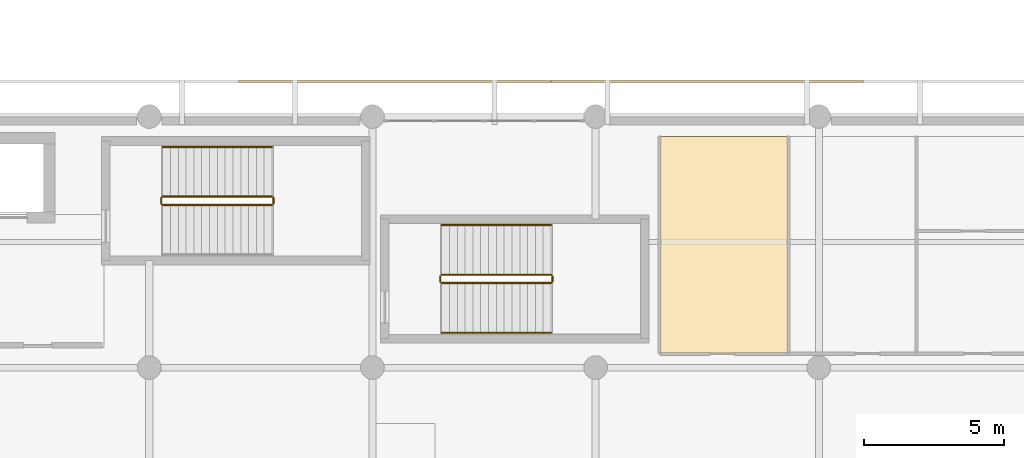
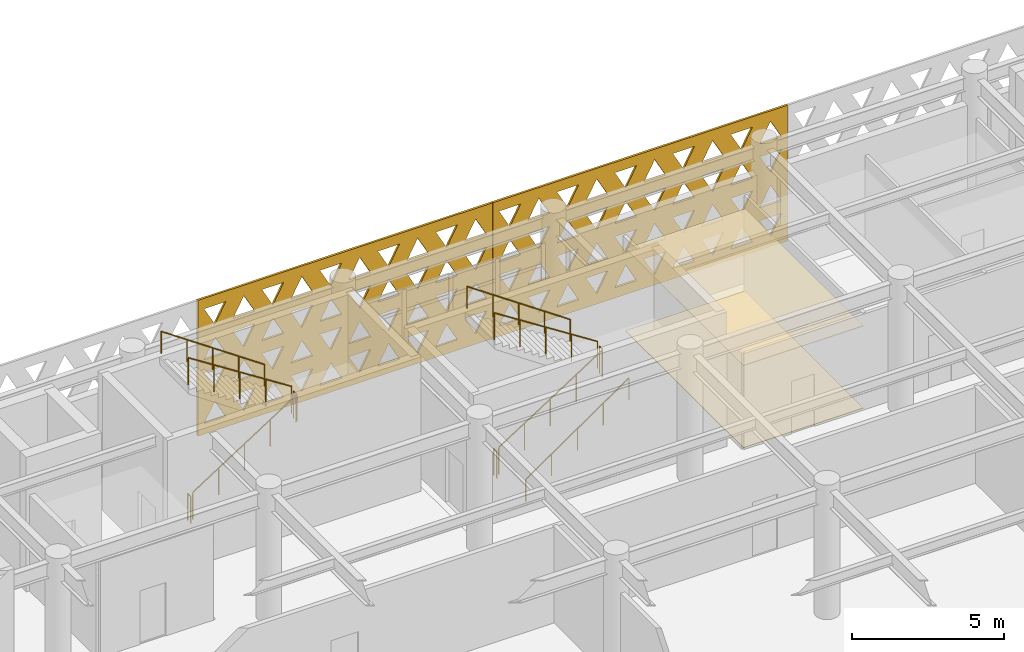
# One storey, part 75 of 84: 11 railings, 4 coverings.
"""IFC4 building model written with IfcOpenShell, lengths in metres."""

from ifc_helpers import new_model, si_unit, direction, frame, origin, origin_2d, place, context, subcontext, project, spatial, polyline, circle, outline, extrude, material, layer, layer_set, type_object, element, save


model = new_model("IFC4")

# Units and contexts
model_context = context("Model", 3, precision=1e-05, world=origin(), true_north=direction((0.0, 1.0)))
body_context = subcontext(model_context, "Body", "Model", "MODEL_VIEW")
ifc_project = project(units=[si_unit("LENGTHUNIT", "METRE"), si_unit("AREAUNIT", "SQUARE_METRE"), si_unit("VOLUMEUNIT", "CUBIC_METRE"), si_unit("PLANEANGLEUNIT", "RADIAN"), si_unit("MASSUNIT", "GRAM", prefix="KILO")], contexts=[model_context])

# Site, building, storey
site_placement = place(None, origin())
site = spatial("IfcSite", under=ifc_project, at=site_placement, CompositionType="ELEMENT")
building_placement = place(site_placement, origin())
building = spatial("IfcBuilding", under=site, at=building_placement, Name="Tlacozan Convention Centre", CompositionType="ELEMENT")
storey_placement = place(building_placement, frame((0.0, 0.0, 6.0)))
storey = spatial("IfcBuildingStorey", under=building, at=storey_placement, Name="L01", CompositionType="ELEMENT", Elevation=6.0)

# Coverings
ifc_material_1 = material(Name="Perforated Acoustic Mineral Fibre Ceiling")
ifc_layer_1 = layer(ifc_material_1, 0.02490234375)
ifc_layer_set_1 = layer_set([ifc_layer_1], Name="Perforated Acoustic Mineral Fibre Ceiling")
covering_type_1 = type_object("IfcCoveringType", Name="Acoustic Mineral Fibre Ceiling 25", PredefinedType="CEILING", material=ifc_layer_set_1)
covering_1_placement = place(storey_placement, frame((0.0, 0.0, 3.300048828125)))
element("IfcCovering", 1, at=covering_1_placement, inside=storey, type_object=covering_type_1, Name="L01 Acoustic Ceiling L01-WC1", PredefinedType="CEILING", context=body_context, shape_type="SweptSolid", body=[
    extrude(outline(polyline([(58.320068359375, 18.52001953125), (62.8798828125, 18.52001953125), (62.8798828125, 26.280029296875), (58.320068359375, 26.280029296875), (58.320068359375, 18.52001953125)])), origin(), (0.0, 0.0, 1.0), 0.02490234375),
])
ifc_material_2 = material(Name="Polished Basalt Terrazzo Flooring", Category="masonry")
ifc_layer_2 = layer(ifc_material_2, 0.02001953125)
ifc_layer_set_2 = layer_set([ifc_layer_2], Name="Polished Basalt Terrazzo Flooring")
covering_type_2 = type_object("IfcCoveringType", Name="Polished Basalt Terrazzo Flooring 20", PredefinedType="FLOORING", material=ifc_layer_set_2)
covering_2_placement = place(storey_placement, origin())
element("IfcCovering", 2, at=covering_2_placement, inside=storey, type_object=covering_type_2, Name="L01 Terrazzo Flooring L01-WC1", PredefinedType="FLOORING", context=body_context, shape_type="SweptSolid", body=[
    extrude(outline(polyline([(58.320068359375, 18.52001953125), (62.8798828125, 18.52001953125), (62.8798828125, 26.280029296875), (58.320068359375, 26.280029296875), (58.320068359375, 18.52001953125)])), origin(), (0.0, 0.0, 1.0), 0.02001953125),
])

# Railings
ifc_material_3 = material(Name="Architectural Painted Galvanised Steel Railing", Category="steel")
railing_type_1 = type_object("IfcRailingType", Name="Stair Wall Handrail 900", PredefinedType="HANDRAIL", material=ifc_material_3)
railing_1_placement = place(storey_placement, frame((44.39990234375, 25.909912109375, 2.8798828125)))
element("IfcRailing", 3, at=railing_1_placement, inside=storey, type_object=railing_type_1, Name="L01 ST-04 stair handrail 2", PredefinedType="HANDRAIL", context=body_context, shape_type="SweptSolid", body=[
    extrude(circle(Radius=0.02392578125, at=origin_2d()), frame((0.0, 0.0, 0.8759765625), z_axis=(-0.823526770215, 0.0, 0.56727740898), x_axis=(0.0, -1.0, 0.0)), (0.0, 0.0, 1.0), 4.760009765625),
    extrude(circle(Radius=0.02099609375, at=origin_2d()), origin(), (0.0, 0.0, 1.0), 0.851806640625),
    extrude(circle(Radius=0.02099609375, at=origin_2d()), frame((-0.97998046875, 0.0, 0.675048828125)), (0.0, 0.0, 1.0), 0.851806640625),
    extrude(circle(Radius=0.02099609375, at=origin_2d()), frame((-1.9599609375, 0.0, 1.35009765625)), (0.0, 0.0, 1.0), 0.851806640625),
    extrude(circle(Radius=0.02099609375, at=origin_2d()), frame((-2.93994140625, 0.0, 2.025146484375)), (0.0, 0.0, 1.0), 0.851806640625),
    extrude(circle(Radius=0.02099609375, at=origin_2d()), frame((-3.919921875, 0.0, 2.7001953125)), (0.0, 0.0, 1.0), 0.851806640625),
])
railing_2_placement = place(storey_placement, frame((50.47998046875, 19.25, 0.179931640625)))
element("IfcRailing", 4, at=railing_2_placement, inside=storey, type_object=railing_type_1, Name="L01 ST-14 stair handrail 1", PredefinedType="HANDRAIL", context=body_context, shape_type="SweptSolid", body=[
    extrude(circle(Radius=0.02392578125, at=origin_2d()), frame((0.0, 0.0, 0.8759765625), z_axis=(0.823550731654, 0.0, 0.567242622158), x_axis=(0.0, 1.0, 0.0)), (0.0, 0.0, 1.0), 4.759765625),
    extrude(circle(Radius=0.02099609375, at=origin_2d()), origin(), (0.0, 0.0, 1.0), 0.851806640625),
    extrude(circle(Radius=0.02099609375, at=origin_2d()), frame((0.97998046875, 0.0, 0.675048828125)), (0.0, 0.0, 1.0), 0.851806640625),
    extrude(circle(Radius=0.02099609375, at=origin_2d()), frame((1.9599609375, 0.0, 1.35009765625)), (0.0, 0.0, 1.0), 0.851806640625),
    extrude(circle(Radius=0.02099609375, at=origin_2d()), frame((2.93994140625, 0.0, 2.02490234375)), (0.0, 0.0, 1.0), 0.851806640625),
    extrude(circle(Radius=0.02099609375, at=origin_2d()), frame((3.919921875, 0.0, 2.699951171875)), (0.0, 0.0, 1.0), 0.851806640625),
])
railing_3_placement = place(storey_placement, frame((54.39990234375, 23.110107421875, 2.8798828125)))
element("IfcRailing", 5, at=railing_3_placement, inside=storey, type_object=railing_type_1, Name="L01 ST-14 stair handrail 2", PredefinedType="HANDRAIL", context=body_context, shape_type="SweptSolid", body=[
    extrude(circle(Radius=0.02392578125, at=origin_2d()), frame((0.0, 0.0, 0.8759765625), z_axis=(-0.823526770215, 0.0, 0.56727740898), x_axis=(0.0, -1.0, 0.0)), (0.0, 0.0, 1.0), 4.760009765625),
    extrude(circle(Radius=0.02099609375, at=origin_2d()), origin(), (0.0, 0.0, 1.0), 0.851806640625),
    extrude(circle(Radius=0.02099609375, at=origin_2d()), frame((-0.97998046875, 0.0, 0.675048828125)), (0.0, 0.0, 1.0), 0.851806640625),
    extrude(circle(Radius=0.02099609375, at=origin_2d()), frame((-1.9599609375, 0.0, 1.35009765625)), (0.0, 0.0, 1.0), 0.851806640625),
    extrude(circle(Radius=0.02099609375, at=origin_2d()), frame((-2.93994140625, 0.0, 2.025146484375)), (0.0, 0.0, 1.0), 0.851806640625),
    extrude(circle(Radius=0.02099609375, at=origin_2d()), frame((-3.919921875, 0.0, 2.7001953125)), (0.0, 0.0, 1.0), 0.851806640625),
])
railing_type_2 = type_object("IfcRailingType", Name="Stair Well Guardrail 1100", PredefinedType="GUARDRAIL", material=ifc_material_3)
railing_4_placement = place(storey_placement, frame((40.47998046875, 23.830078125, 0.179931640625)))
element("IfcRailing", 6, at=railing_4_placement, inside=storey, type_object=railing_type_2, Name="L01 ST-04 stair guard 1", PredefinedType="GUARDRAIL", context=body_context, shape_type="SweptSolid", body=[
    extrude(circle(Radius=0.02392578125, at=origin_2d()), frame((0.0, 0.0, 1.076171875), z_axis=(0.841171666519, 0.0, 0.540768182723), x_axis=(0.0, 1.0, 0.0)), (0.0, 0.0, 1.0), 4.66015625),
    extrude(circle(Radius=0.02099609375, at=origin_2d()), origin(), (0.0, 0.0, 1.0), 1.052001953125),
    extrude(circle(Radius=0.02099609375, at=origin_2d()), frame((0.97998046875, 0.0, 0.6298828125)), (0.0, 0.0, 1.0), 1.052001953125),
    extrude(circle(Radius=0.02099609375, at=origin_2d()), frame((1.9599609375, 0.0, 1.260009765625)), (0.0, 0.0, 1.0), 1.052001953125),
    extrude(circle(Radius=0.02099609375, at=origin_2d()), frame((2.93994140625, 0.0, 1.89013671875)), (0.0, 0.0, 1.0), 1.052001953125),
    extrude(circle(Radius=0.02099609375, at=origin_2d()), frame((3.919921875, 0.0, 2.52001953125)), (0.0, 0.0, 1.0), 1.052001953125),
])
railing_5_placement = place(storey_placement, frame((44.449951171875, 23.8798828125, 2.699951171875)))
element("IfcRailing", 7, at=railing_5_placement, inside=storey, type_object=railing_type_2, Name="L01 ST-04 stair guard 2", PredefinedType="GUARDRAIL", context=body_context, shape_type="SweptSolid", body=[
    extrude(circle(Radius=0.02392578125, at=origin_2d()), frame((0.0, 0.0, 1.076171875), z_axis=(0.0, 1.0, 0.0), x_axis=(-1.0, 0.0, 0.0)), (0.0, 0.0, 1.0), 0.2001953125),
    extrude(circle(Radius=0.02099609375, at=origin_2d()), origin(), (0.0, 0.0, 1.0), 1.052001953125),
    extrude(circle(Radius=0.02099609375, at=origin_2d()), frame((0.0, 0.2001953125, 0.0)), (0.0, 0.0, 1.0), 1.052001953125),
])
railing_6_placement = place(storey_placement, frame((44.39990234375, 24.1298828125, 2.8798828125)))
element("IfcRailing", 8, at=railing_6_placement, inside=storey, type_object=railing_type_2, Name="L01 ST-04 stair guard 3", PredefinedType="GUARDRAIL", context=body_context, shape_type="SweptSolid", body=[
    extrude(circle(Radius=0.02392578125, at=origin_2d()), frame((0.0, 0.0, 1.076171875), z_axis=(-0.841171666519, 0.0, 0.540768182723), x_axis=(0.0, -1.0, 0.0)), (0.0, 0.0, 1.0), 4.66015625),
    extrude(circle(Radius=0.02099609375, at=origin_2d()), origin(), (0.0, 0.0, 1.0), 1.052001953125),
    extrude(circle(Radius=0.02099609375, at=origin_2d()), frame((-0.97998046875, 0.0, 0.6298828125)), (0.0, 0.0, 1.0), 1.052001953125),
    extrude(circle(Radius=0.02099609375, at=origin_2d()), frame((-1.9599609375, 0.0, 1.260009765625)), (0.0, 0.0, 1.0), 1.052001953125),
    extrude(circle(Radius=0.02099609375, at=origin_2d()), frame((-2.93994140625, 0.0, 1.89013671875)), (0.0, 0.0, 1.0), 1.052001953125),
    extrude(circle(Radius=0.02099609375, at=origin_2d()), frame((-3.919921875, 0.0, 2.52001953125)), (0.0, 0.0, 1.0), 1.052001953125),
])
railing_7_placement = place(storey_placement, frame((40.429931640625, 23.8798828125, 0.0)))
element("IfcRailing", 9, at=railing_7_placement, inside=storey, type_object=railing_type_2, Name="L01 ST-04 stair guard 4", PredefinedType="GUARDRAIL", context=body_context, shape_type="SweptSolid", body=[
    extrude(circle(Radius=0.02392578125, at=origin_2d()), frame((0.0, 0.0, 1.076171875), z_axis=(0.0, 1.0, 0.0), x_axis=(-1.0, 0.0, 0.0)), (0.0, 0.0, 1.0), 0.2001953125),
    extrude(circle(Radius=0.02099609375, at=origin_2d()), origin(), (0.0, 0.0, 1.0), 1.052001953125),
    extrude(circle(Radius=0.02099609375, at=origin_2d()), frame((0.0, 0.2001953125, 0.0)), (0.0, 0.0, 1.0), 1.052001953125),
])
railing_8_placement = place(storey_placement, frame((50.47998046875, 21.030029296875, 0.179931640625)))
element("IfcRailing", 10, at=railing_8_placement, inside=storey, type_object=railing_type_2, Name="L01 ST-14 stair guard 1", PredefinedType="GUARDRAIL", context=body_context, shape_type="SweptSolid", body=[
    extrude(circle(Radius=0.02392578125, at=origin_2d()), frame((0.0, 0.0, 1.076171875), z_axis=(0.841171666519, 0.0, 0.540768182723), x_axis=(0.0, 1.0, 0.0)), (0.0, 0.0, 1.0), 4.66015625),
    extrude(circle(Radius=0.02099609375, at=origin_2d()), origin(), (0.0, 0.0, 1.0), 1.052001953125),
    extrude(circle(Radius=0.02099609375, at=origin_2d()), frame((0.97998046875, 0.0, 0.6298828125)), (0.0, 0.0, 1.0), 1.052001953125),
    extrude(circle(Radius=0.02099609375, at=origin_2d()), frame((1.9599609375, 0.0, 1.260009765625)), (0.0, 0.0, 1.0), 1.052001953125),
    extrude(circle(Radius=0.02099609375, at=origin_2d()), frame((2.93994140625, 0.0, 1.89013671875)), (0.0, 0.0, 1.0), 1.052001953125),
    extrude(circle(Radius=0.02099609375, at=origin_2d()), frame((3.919921875, 0.0, 2.52001953125)), (0.0, 0.0, 1.0), 1.052001953125),
])
railing_9_placement = place(storey_placement, frame((54.449951171875, 21.080078125, 2.699951171875)))
element("IfcRailing", 11, at=railing_9_placement, inside=storey, type_object=railing_type_2, Name="L01 ST-14 stair guard 2", PredefinedType="GUARDRAIL", context=body_context, shape_type="SweptSolid", body=[
    extrude(circle(Radius=0.02392578125, at=origin_2d()), frame((0.0, 0.0, 1.076171875), z_axis=(0.0, 1.0, 0.0), x_axis=(-1.0, 0.0, 0.0)), (0.0, 0.0, 1.0), 0.199951171875),
    extrude(circle(Radius=0.02099609375, at=origin_2d()), origin(), (0.0, 0.0, 1.0), 1.052001953125),
    extrude(circle(Radius=0.02099609375, at=origin_2d()), frame((0.0, 0.199951171875, 0.0)), (0.0, 0.0, 1.0), 1.052001953125),
])
railing_10_placement = place(storey_placement, frame((54.39990234375, 21.330078125, 2.8798828125)))
element("IfcRailing", 12, at=railing_10_placement, inside=storey, type_object=railing_type_2, Name="L01 ST-14 stair guard 3", PredefinedType="GUARDRAIL", context=body_context, shape_type="SweptSolid", body=[
    extrude(circle(Radius=0.02392578125, at=origin_2d()), frame((0.0, 0.0, 1.076171875), z_axis=(-0.841171666519, 0.0, 0.540768182723), x_axis=(0.0, -1.0, 0.0)), (0.0, 0.0, 1.0), 4.66015625),
    extrude(circle(Radius=0.02099609375, at=origin_2d()), origin(), (0.0, 0.0, 1.0), 1.052001953125),
    extrude(circle(Radius=0.02099609375, at=origin_2d()), frame((-0.97998046875, 0.0, 0.6298828125)), (0.0, 0.0, 1.0), 1.052001953125),
    extrude(circle(Radius=0.02099609375, at=origin_2d()), frame((-1.9599609375, 0.0, 1.260009765625)), (0.0, 0.0, 1.0), 1.052001953125),
    extrude(circle(Radius=0.02099609375, at=origin_2d()), frame((-2.93994140625, 0.0, 1.89013671875)), (0.0, 0.0, 1.0), 1.052001953125),
    extrude(circle(Radius=0.02099609375, at=origin_2d()), frame((-3.919921875, 0.0, 2.52001953125)), (0.0, 0.0, 1.0), 1.052001953125),
])
railing_11_placement = place(storey_placement, frame((50.429931640625, 21.080078125, 0.0)))
element("IfcRailing", 13, at=railing_11_placement, inside=storey, type_object=railing_type_2, Name="L01 ST-14 stair guard 4", PredefinedType="GUARDRAIL", context=body_context, shape_type="SweptSolid", body=[
    extrude(circle(Radius=0.02392578125, at=origin_2d()), frame((0.0, 0.0, 1.076171875), z_axis=(0.0, 1.0, 0.0), x_axis=(-1.0, 0.0, 0.0)), (0.0, 0.0, 1.0), 0.199951171875),
    extrude(circle(Radius=0.02099609375, at=origin_2d()), origin(), (0.0, 0.0, 1.0), 1.052001953125),
    extrude(circle(Radius=0.02099609375, at=origin_2d()), frame((0.0, 0.199951171875, 0.0)), (0.0, 0.0, 1.0), 1.052001953125),
])

# Coverings
ifc_material_4 = material(Name="Toluca Fired Terracotta Masonry Solar Screen", Category="masonry")
ifc_layer_3 = layer(ifc_material_4, 0.080078125)
ifc_layer_set_3 = layer_set([ifc_layer_3], Name="Toluca Fired Terracotta Masonry Solar Screen")
covering_type_3 = type_object("IfcCoveringType", Name="Terracotta Triangle Solar Screen 80", PredefinedType="USERDEFINED", material=ifc_layer_set_3)
covering_3_placement = place(storey_placement, frame((43.201904296875, 28.25, -0.10009765625), z_axis=(0.0, 0.0, 1.0), x_axis=(1.0, 0.0, 0.0)))
element("IfcCovering", 14, at=covering_3_placement, inside=storey, type_object=covering_type_3, Name="L01 Terracotta Triangle Screen 21", ObjectType="SCREEN", PredefinedType="USERDEFINED", context=body_context, shape_type="SweptSolid", body=[
    extrude(outline(polyline([(0.0, 0.0), (11.196044921875, 0.0), (11.196044921875, 5.4501953125), (0.0, 5.4501953125), (0.0, 0.0)]), holes=[polyline([(0.23388671875, 0.41796875), (1.06201171875, 0.41796875), (0.64794921875, 1.1845703125), (0.23388671875, 0.41796875)]), polyline([(1.333984375, 1.1845703125), (2.162109375, 1.1845703125), (1.748046875, 0.41796875), (1.333984375, 1.1845703125)]), polyline([(2.43408203125, 0.41796875), (3.261962890625, 0.41796875), (2.84814453125, 1.1845703125), (2.43408203125, 0.41796875)]), polyline([(3.533935546875, 1.1845703125), (4.362060546875, 1.1845703125), (3.947998046875, 0.41796875), (3.533935546875, 1.1845703125)]), polyline([(4.634033203125, 0.41796875), (5.462158203125, 0.41796875), (5.048095703125, 1.1845703125), (4.634033203125, 0.41796875)]), polyline([(5.73388671875, 1.1845703125), (6.56201171875, 1.1845703125), (6.14794921875, 0.41796875), (5.73388671875, 1.1845703125)]), polyline([(6.833984375, 0.41796875), (7.662109375, 0.41796875), (7.248046875, 1.1845703125), (6.833984375, 0.41796875)]), polyline([(7.93408203125, 1.1845703125), (8.761962890625, 1.1845703125), (8.34814453125, 0.41796875), (7.93408203125, 1.1845703125)]), polyline([(9.033935546875, 0.41796875), (9.862060546875, 0.41796875), (9.447998046875, 1.1845703125), (9.033935546875, 0.41796875)]), polyline([(10.134033203125, 1.1845703125), (10.962158203125, 1.1845703125), (10.548095703125, 0.41796875), (10.134033203125, 1.1845703125)]), polyline([(0.23388671875, 2.46728515625), (1.06201171875, 2.46728515625), (0.64794921875, 1.700439453125), (0.23388671875, 2.46728515625)]), polyline([(1.333984375, 1.700439453125), (2.162109375, 1.700439453125), (1.748046875, 2.46728515625), (1.333984375, 1.700439453125)]), polyline([(2.43408203125, 2.46728515625), (3.261962890625, 2.46728515625), (2.84814453125, 1.700439453125), (2.43408203125, 2.46728515625)]), polyline([(3.533935546875, 1.700439453125), (4.362060546875, 1.700439453125), (3.947998046875, 2.46728515625), (3.533935546875, 1.700439453125)]), polyline([(4.634033203125, 2.46728515625), (5.462158203125, 2.46728515625), (5.048095703125, 1.700439453125), (4.634033203125, 2.46728515625)]), polyline([(5.73388671875, 1.700439453125), (6.56201171875, 1.700439453125), (6.14794921875, 2.46728515625), (5.73388671875, 1.700439453125)]), polyline([(6.833984375, 2.46728515625), (7.662109375, 2.46728515625), (7.248046875, 1.700439453125), (6.833984375, 2.46728515625)]), polyline([(7.93408203125, 1.700439453125), (8.761962890625, 1.700439453125), (8.34814453125, 2.46728515625), (7.93408203125, 1.700439453125)]), polyline([(9.033935546875, 2.46728515625), (9.862060546875, 2.46728515625), (9.447998046875, 1.700439453125), (9.033935546875, 2.46728515625)]), polyline([(10.134033203125, 1.700439453125), (10.962158203125, 1.700439453125), (10.548095703125, 2.46728515625), (10.134033203125, 1.700439453125)]), polyline([(0.23388671875, 2.98291015625), (1.06201171875, 2.98291015625), (0.64794921875, 3.749755859375), (0.23388671875, 2.98291015625)]), polyline([(1.333984375, 3.749755859375), (2.162109375, 3.749755859375), (1.748046875, 2.98291015625), (1.333984375, 3.749755859375)]), polyline([(2.43408203125, 2.98291015625), (3.261962890625, 2.98291015625), (2.84814453125, 3.749755859375), (2.43408203125, 2.98291015625)]), polyline([(3.533935546875, 3.749755859375), (4.362060546875, 3.749755859375), (3.947998046875, 2.98291015625), (3.533935546875, 3.749755859375)]), polyline([(4.634033203125, 2.98291015625), (5.462158203125, 2.98291015625), (5.048095703125, 3.749755859375), (4.634033203125, 2.98291015625)]), polyline([(5.73388671875, 3.749755859375), (6.56201171875, 3.749755859375), (6.14794921875, 2.98291015625), (5.73388671875, 3.749755859375)]), polyline([(6.833984375, 2.98291015625), (7.662109375, 2.98291015625), (7.248046875, 3.749755859375), (6.833984375, 2.98291015625)]), polyline([(7.93408203125, 3.749755859375), (8.761962890625, 3.749755859375), (8.34814453125, 2.98291015625), (7.93408203125, 3.749755859375)]), polyline([(9.033935546875, 2.98291015625), (9.862060546875, 2.98291015625), (9.447998046875, 3.749755859375), (9.033935546875, 2.98291015625)]), polyline([(10.134033203125, 3.749755859375), (10.962158203125, 3.749755859375), (10.548095703125, 2.98291015625), (10.134033203125, 3.749755859375)]), polyline([(0.23388671875, 5.0322265625), (1.06201171875, 5.0322265625), (0.64794921875, 4.265625), (0.23388671875, 5.0322265625)]), polyline([(1.333984375, 4.265625), (2.162109375, 4.265625), (1.748046875, 5.0322265625), (1.333984375, 4.265625)]), polyline([(2.43408203125, 5.0322265625), (3.261962890625, 5.0322265625), (2.84814453125, 4.265625), (2.43408203125, 5.0322265625)]), polyline([(3.533935546875, 4.265625), (4.362060546875, 4.265625), (3.947998046875, 5.0322265625), (3.533935546875, 4.265625)]), polyline([(4.634033203125, 5.0322265625), (5.462158203125, 5.0322265625), (5.048095703125, 4.265625), (4.634033203125, 5.0322265625)]), polyline([(5.73388671875, 4.265625), (6.56201171875, 4.265625), (6.14794921875, 5.0322265625), (5.73388671875, 4.265625)]), polyline([(6.833984375, 5.0322265625), (7.662109375, 5.0322265625), (7.248046875, 4.265625), (6.833984375, 5.0322265625)]), polyline([(7.93408203125, 4.265625), (8.761962890625, 4.265625), (8.34814453125, 5.0322265625), (7.93408203125, 4.265625)]), polyline([(9.033935546875, 5.0322265625), (9.862060546875, 5.0322265625), (9.447998046875, 4.265625), (9.033935546875, 5.0322265625)]), polyline([(10.134033203125, 4.265625), (10.962158203125, 4.265625), (10.548095703125, 5.0322265625), (10.134033203125, 4.265625)])]), frame((0.0, 0.0400390625, 0.0), z_axis=(0.0, -1.0, 0.0), x_axis=(1.0, 0.0, 0.0)), (0.0, 0.0, 1.0), 0.080078125),
])
covering_4_placement = place(storey_placement, frame((54.402099609375, 28.25, -0.10009765625), z_axis=(0.0, 0.0, 1.0), x_axis=(1.0, 0.0, 0.0)))
element("IfcCovering", 15, at=covering_4_placement, inside=storey, type_object=covering_type_3, Name="L01 Terracotta Triangle Screen 22", ObjectType="SCREEN", PredefinedType="USERDEFINED", context=body_context, shape_type="SweptSolid", body=[
    extrude(outline(polyline([(0.0, 0.0), (11.19580078125, 0.0), (11.19580078125, 5.4501953125), (0.0, 5.4501953125), (0.0, 0.0)]), holes=[polyline([(0.23388671875, 0.41796875), (1.06201171875, 0.41796875), (0.64794921875, 1.1845703125), (0.23388671875, 0.41796875)]), polyline([(1.333984375, 1.1845703125), (2.161865234375, 1.1845703125), (1.747802734375, 0.41796875), (1.333984375, 1.1845703125)]), polyline([(2.433837890625, 0.41796875), (3.261962890625, 0.41796875), (2.847900390625, 1.1845703125), (2.433837890625, 0.41796875)]), polyline([(3.533935546875, 1.1845703125), (4.36181640625, 1.1845703125), (3.947998046875, 0.41796875), (3.533935546875, 1.1845703125)]), polyline([(4.6337890625, 0.41796875), (5.4619140625, 0.41796875), (5.0478515625, 1.1845703125), (4.6337890625, 0.41796875)]), polyline([(5.73388671875, 1.1845703125), (6.56201171875, 1.1845703125), (6.14794921875, 0.41796875), (5.73388671875, 1.1845703125)]), polyline([(6.833984375, 0.41796875), (7.661865234375, 0.41796875), (7.247802734375, 1.1845703125), (6.833984375, 0.41796875)]), polyline([(7.933837890625, 1.1845703125), (8.761962890625, 1.1845703125), (8.347900390625, 0.41796875), (7.933837890625, 1.1845703125)]), polyline([(9.033935546875, 0.41796875), (9.86181640625, 0.41796875), (9.447998046875, 1.1845703125), (9.033935546875, 0.41796875)]), polyline([(10.1337890625, 1.1845703125), (10.9619140625, 1.1845703125), (10.5478515625, 0.41796875), (10.1337890625, 1.1845703125)]), polyline([(0.23388671875, 2.46728515625), (1.06201171875, 2.46728515625), (0.64794921875, 1.700439453125), (0.23388671875, 2.46728515625)]), polyline([(1.333984375, 1.700439453125), (2.161865234375, 1.700439453125), (1.747802734375, 2.46728515625), (1.333984375, 1.700439453125)]), polyline([(2.433837890625, 2.46728515625), (3.261962890625, 2.46728515625), (2.847900390625, 1.700439453125), (2.433837890625, 2.46728515625)]), polyline([(3.533935546875, 1.700439453125), (4.36181640625, 1.700439453125), (3.947998046875, 2.46728515625), (3.533935546875, 1.700439453125)]), polyline([(4.6337890625, 2.46728515625), (5.4619140625, 2.46728515625), (5.0478515625, 1.700439453125), (4.6337890625, 2.46728515625)]), polyline([(5.73388671875, 1.700439453125), (6.56201171875, 1.700439453125), (6.14794921875, 2.46728515625), (5.73388671875, 1.700439453125)]), polyline([(6.833984375, 2.46728515625), (7.661865234375, 2.46728515625), (7.247802734375, 1.700439453125), (6.833984375, 2.46728515625)]), polyline([(7.933837890625, 1.700439453125), (8.761962890625, 1.700439453125), (8.347900390625, 2.46728515625), (7.933837890625, 1.700439453125)]), polyline([(9.033935546875, 2.46728515625), (9.86181640625, 2.46728515625), (9.447998046875, 1.700439453125), (9.033935546875, 2.46728515625)]), polyline([(10.1337890625, 1.700439453125), (10.9619140625, 1.700439453125), (10.5478515625, 2.46728515625), (10.1337890625, 1.700439453125)]), polyline([(0.23388671875, 2.98291015625), (1.06201171875, 2.98291015625), (0.64794921875, 3.749755859375), (0.23388671875, 2.98291015625)]), polyline([(1.333984375, 3.749755859375), (2.161865234375, 3.749755859375), (1.747802734375, 2.98291015625), (1.333984375, 3.749755859375)]), polyline([(2.433837890625, 2.98291015625), (3.261962890625, 2.98291015625), (2.847900390625, 3.749755859375), (2.433837890625, 2.98291015625)]), polyline([(3.533935546875, 3.749755859375), (4.36181640625, 3.749755859375), (3.947998046875, 2.98291015625), (3.533935546875, 3.749755859375)]), polyline([(4.6337890625, 2.98291015625), (5.4619140625, 2.98291015625), (5.0478515625, 3.749755859375), (4.6337890625, 2.98291015625)]), polyline([(5.73388671875, 3.749755859375), (6.56201171875, 3.749755859375), (6.14794921875, 2.98291015625), (5.73388671875, 3.749755859375)]), polyline([(6.833984375, 2.98291015625), (7.661865234375, 2.98291015625), (7.247802734375, 3.749755859375), (6.833984375, 2.98291015625)]), polyline([(7.933837890625, 3.749755859375), (8.761962890625, 3.749755859375), (8.347900390625, 2.98291015625), (7.933837890625, 3.749755859375)]), polyline([(9.033935546875, 2.98291015625), (9.86181640625, 2.98291015625), (9.447998046875, 3.749755859375), (9.033935546875, 2.98291015625)]), polyline([(10.1337890625, 3.749755859375), (10.9619140625, 3.749755859375), (10.5478515625, 2.98291015625), (10.1337890625, 3.749755859375)]), polyline([(0.23388671875, 5.0322265625), (1.06201171875, 5.0322265625), (0.64794921875, 4.265625), (0.23388671875, 5.0322265625)]), polyline([(1.333984375, 4.265625), (2.161865234375, 4.265625), (1.747802734375, 5.0322265625), (1.333984375, 4.265625)]), polyline([(2.433837890625, 5.0322265625), (3.261962890625, 5.0322265625), (2.847900390625, 4.265625), (2.433837890625, 5.0322265625)]), polyline([(3.533935546875, 4.265625), (4.36181640625, 4.265625), (3.947998046875, 5.0322265625), (3.533935546875, 4.265625)]), polyline([(4.6337890625, 5.0322265625), (5.4619140625, 5.0322265625), (5.0478515625, 4.265625), (4.6337890625, 5.0322265625)]), polyline([(5.73388671875, 4.265625), (6.56201171875, 4.265625), (6.14794921875, 5.0322265625), (5.73388671875, 4.265625)]), polyline([(6.833984375, 5.0322265625), (7.661865234375, 5.0322265625), (7.247802734375, 4.265625), (6.833984375, 5.0322265625)]), polyline([(7.933837890625, 4.265625), (8.761962890625, 4.265625), (8.347900390625, 5.0322265625), (7.933837890625, 4.265625)]), polyline([(9.033935546875, 5.0322265625), (9.86181640625, 5.0322265625), (9.447998046875, 4.265625), (9.033935546875, 5.0322265625)]), polyline([(10.1337890625, 4.265625), (10.9619140625, 4.265625), (10.5478515625, 5.0322265625), (10.1337890625, 4.265625)])]), frame((0.0, 0.0400390625, 0.0), z_axis=(0.0, -1.0, 0.0), x_axis=(1.0, 0.0, 0.0)), (0.0, 0.0, 1.0), 0.080078125),
])

save(model, "model.ifc")
